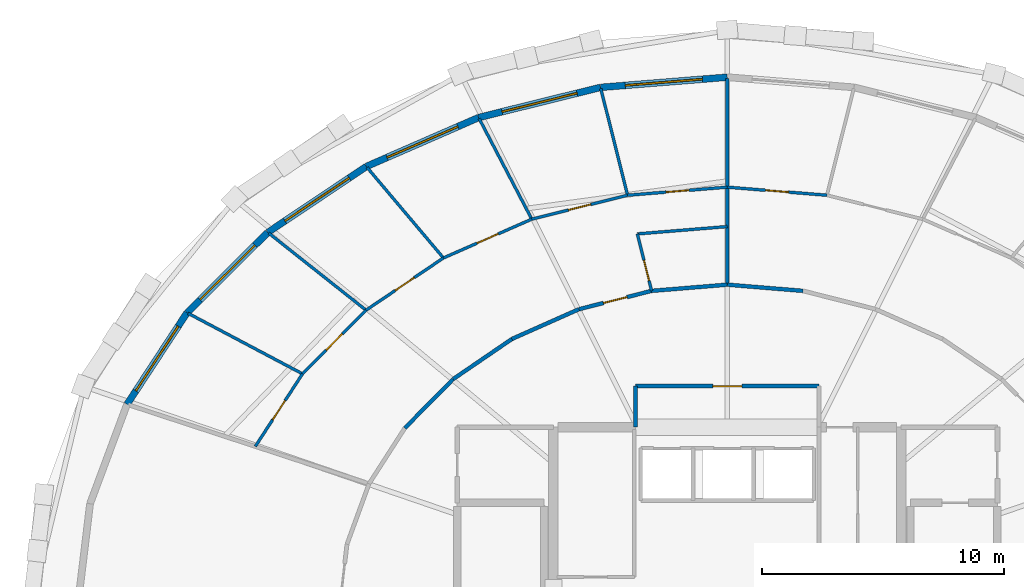
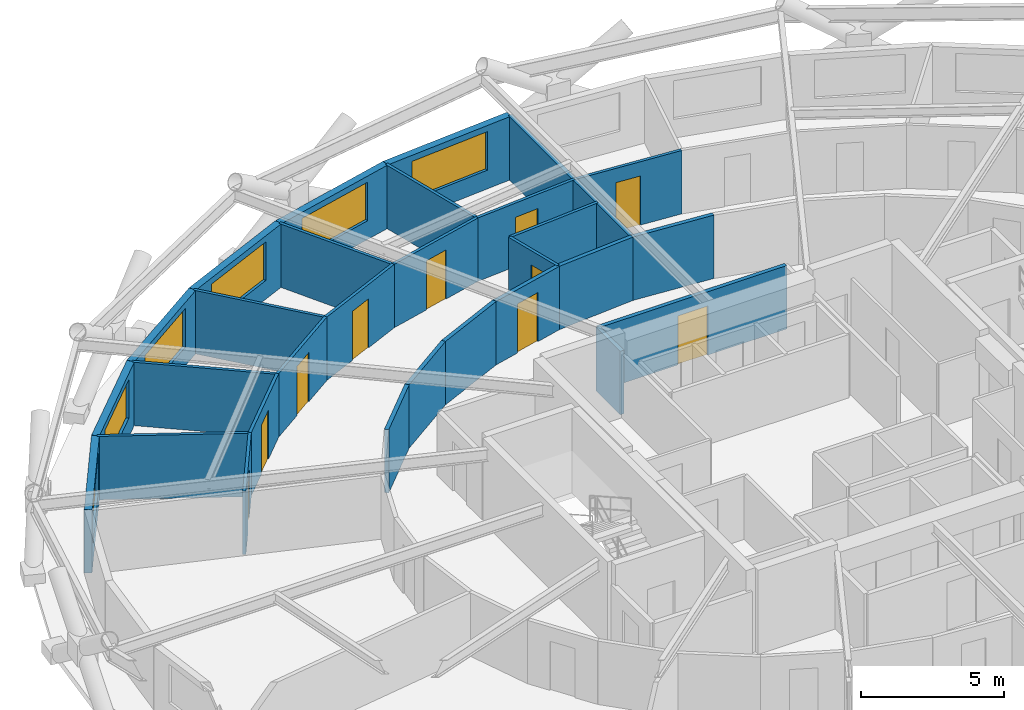
# One storey, part 17 of 21: 29 walls, 10 doors, 6 windows, 16 openings.
"""IFC4 building model written with IfcOpenShell, lengths in metres."""

from ifc_helpers import new_model, si_unit, direction, frame, frame_2d, origin, place, context, subcontext, project, spatial, rectangle, extrude, material, layer, layer_set, type_object, element, fill, save


model = new_model("IFC4")

# Units and contexts
model_context = context("Model", 3, precision=1e-05, world=origin(), true_north=direction((0.0, 1.0)))
body_context = subcontext(model_context, "Body", "Model", "MODEL_VIEW")
ifc_project = project(units=[si_unit("LENGTHUNIT", "METRE"), si_unit("AREAUNIT", "SQUARE_METRE"), si_unit("VOLUMEUNIT", "CUBIC_METRE"), si_unit("PLANEANGLEUNIT", "RADIAN"), si_unit("MASSUNIT", "GRAM", prefix="KILO")], contexts=[model_context])

# Site, building, storey
site_placement = place(None, origin())
site = spatial("IfcSite", under=ifc_project, at=site_placement, CompositionType="ELEMENT")
building_placement = place(site_placement, origin())
building = spatial("IfcBuilding", under=site, at=building_placement, Name="Veldorina Hangang Commons", CompositionType="ELEMENT")
storey_placement = place(building_placement, frame((0.0, 0.0, 98.800048828125)))
storey = spatial("IfcBuildingStorey", under=building, at=storey_placement, Name="L25", CompositionType="ELEMENT", Elevation=98.800048828125)

# Wall, opening, window
ifc_material_1 = material(Name="Stone Roman Travertine", Category="masonry")
ifc_layer_1 = layer(ifc_material_1, 0.280029296875)
ifc_layer_set_1 = layer_set([ifc_layer_1], Name="Stone Roman Travertine")
wall_type_1 = type_object("IfcWallType", Name="EW-TRAV-280", PredefinedType="STANDARD", material=ifc_layer_set_1)
wall_1_placement = place(storey_placement, frame((32.0, 45.9384765625, 0.0), z_axis=(0.0, 0.0, 1.0), x_axis=(-0.996790751388, -0.080051220775, 0.0)))
wall_1 = element("IfcWall", 1, at=wall_1_placement, inside=storey, type_object=wall_type_1, Name="L25 travertine facade wall 08", PredefinedType="STANDARD", context=body_context, shape_type="SweptSolid", body=[
    extrude(rectangle(XDim=5.263916015625, YDim=0.280029296875, at=frame_2d((2.6318359375, 0.0))), origin(), (0.0, 0.0, 1.0), 2.7099609375),
])
opening_1_placement = place(wall_1_placement, frame((1.031982421875, 0.0, 0.800048828125)))
opening_1 = element("IfcOpeningElement", 2, at=opening_1_placement, cuts=wall_1, Name="Opening W-01", PredefinedType="OPENING", context=body_context, shape_type="SweptSolid", body=[
    extrude(rectangle(XDim=3.199951171875, YDim=1.64990234375, at=frame_2d((1.60009765625, 0.824951171875))), frame((0.0, 0.14990234375, 0.0), z_axis=(0.0, -1.0, 0.0), x_axis=(1.0, 0.0, 0.0)), (0.0, 0.0, 1.0), 0.300048828125),
])
ifc_material_2 = material(Name="Glass Low-E Triple IGU", Category="glass")
window_type = type_object("IfcWindowType", Name="WIN-TWR-3200", PartitioningType="SINGLE_PANEL", PredefinedType="WINDOW", material=ifc_material_2)
window_1_placement = place(opening_1_placement, origin())
window_1 = element("IfcWindow", 3, at=window_1_placement, inside=storey, type_object=window_type, Name="L25 facade window 08", OverallHeight=1.64990234375, OverallWidth=3.199951171875, PartitioningType="SINGLE_PANEL", PredefinedType="WINDOW", context=body_context, shape_type="SweptSolid", body=[
    extrude(rectangle(XDim=3.199951171875, YDim=1.64990234375, at=frame_2d((1.60009765625, 0.824951171875))), frame((0.0, 0.030029296875, 0.0), z_axis=(0.0, -1.0, 0.0), x_axis=(1.0, 0.0, 0.0)), (0.0, 0.0, 1.0), 0.06005859375),
])
fill(opening_1, window_1)

wall_2_placement = place(storey_placement, frame((26.7529296875, 45.51708984375, 0.0), z_axis=(0.0, 0.0, 1.0), x_axis=(-0.970717253555, -0.240224923043, 0.0)))
wall_2 = element("IfcWall", 4, at=wall_2_placement, inside=storey, type_object=wall_type_1, Name="L25 travertine facade wall 09", PredefinedType="STANDARD", context=body_context, shape_type="SweptSolid", body=[
    extrude(rectangle(XDim=5.197265625, YDim=0.280029296875, at=frame_2d((2.5986328125, 0.0))), origin(), (0.0, 0.0, 1.0), 2.7099609375),
])
opening_2_placement = place(wall_2_placement, frame((0.998779296875, 0.0, 0.800048828125)))
opening_2 = element("IfcOpeningElement", 5, at=opening_2_placement, cuts=wall_2, Name="Opening W-01", PredefinedType="OPENING", context=body_context, shape_type="SweptSolid", body=[
    extrude(rectangle(XDim=3.199951171875, YDim=1.64990234375, at=frame_2d((1.60009765625, 0.824951171875))), frame((0.0, 0.14990234375, 0.0), z_axis=(0.0, -1.0, 0.0), x_axis=(1.0, 0.0, 0.0)), (0.0, 0.0, 1.0), 0.300048828125),
])
window_2_placement = place(opening_2_placement, origin())
window_2 = element("IfcWindow", 6, at=window_2_placement, inside=storey, type_object=window_type, Name="L25 facade window 09", OverallHeight=1.64990234375, OverallWidth=3.199951171875, PartitioningType="SINGLE_PANEL", PredefinedType="WINDOW", context=body_context, shape_type="SweptSolid", body=[
    extrude(rectangle(XDim=3.199951171875, YDim=1.64990234375, at=frame_2d((1.60009765625, 0.824951171875))), frame((0.0, 0.030029296875, 0.0), z_axis=(0.0, -1.0, 0.0), x_axis=(1.0, 0.0, 0.0)), (0.0, 0.0, 1.0), 0.06005859375),
])
fill(opening_2, window_2)

wall_3_placement = place(storey_placement, frame((21.707763671875, 44.2685546875, 0.0), z_axis=(0.0, 0.0, 1.0), x_axis=(-0.9166625106, -0.399662159405, 0.0)))
wall_3 = element("IfcWall", 7, at=wall_3_placement, inside=storey, type_object=wall_type_1, Name="L25 travertine facade wall 10", PredefinedType="STANDARD", context=body_context, shape_type="SweptSolid", body=[
    extrude(rectangle(XDim=5.07275390625, YDim=0.280029296875, at=frame_2d((2.536376953125, 0.0))), origin(), (0.0, 0.0, 1.0), 2.7099609375),
])
opening_3_placement = place(wall_3_placement, frame((0.936279296875, 0.0, 0.800048828125)))
opening_3 = element("IfcOpeningElement", 8, at=opening_3_placement, cuts=wall_3, Name="Opening W-01", PredefinedType="OPENING", context=body_context, shape_type="SweptSolid", body=[
    extrude(rectangle(XDim=3.199951171875, YDim=1.64990234375, at=frame_2d((1.60009765625, 0.824951171875))), frame((0.0, 0.14990234375, 0.0), z_axis=(0.0, -1.0, 0.0), x_axis=(1.0, 0.0, 0.0)), (0.0, 0.0, 1.0), 0.300048828125),
])
window_3_placement = place(opening_3_placement, origin())
window_3 = element("IfcWindow", 9, at=window_3_placement, inside=storey, type_object=window_type, Name="L25 facade window 10", OverallHeight=1.64990234375, OverallWidth=3.199951171875, PartitioningType="SINGLE_PANEL", PredefinedType="WINDOW", context=body_context, shape_type="SweptSolid", body=[
    extrude(rectangle(XDim=3.199951171875, YDim=1.64990234375, at=frame_2d((1.60009765625, 0.824951171875))), frame((0.0, 0.030029296875, 0.0), z_axis=(0.0, -1.0, 0.0), x_axis=(1.0, 0.0, 0.0)), (0.0, 0.0, 1.0), 0.06005859375),
])
fill(opening_3, window_3)

wall_4_placement = place(storey_placement, frame((17.057861328125, 42.2412109375, 0.0), z_axis=(0.0, 0.0, 1.0), x_axis=(-0.83098422739, -0.556295976822, 0.0)))
wall_4 = element("IfcWall", 10, at=wall_4_placement, inside=storey, type_object=wall_type_1, Name="L25 travertine facade wall 11", PredefinedType="STANDARD", context=body_context, shape_type="SweptSolid", body=[
    extrude(rectangle(XDim=4.904296875, YDim=0.280029296875, at=frame_2d((2.4521484375, 0.0))), origin(), (0.0, 0.0, 1.0), 2.7099609375),
])
opening_4_placement = place(wall_4_placement, frame((0.852294921875, 0.0, 0.800048828125)))
opening_4 = element("IfcOpeningElement", 11, at=opening_4_placement, cuts=wall_4, Name="Opening W-01", PredefinedType="OPENING", context=body_context, shape_type="SweptSolid", body=[
    extrude(rectangle(XDim=3.199951171875, YDim=1.64990234375, at=frame_2d((1.60009765625, 0.824951171875))), frame((0.0, 0.14990234375, 0.0), z_axis=(0.0, -1.0, 0.0), x_axis=(1.0, 0.0, 0.0)), (0.0, 0.0, 1.0), 0.300048828125),
])
window_4_placement = place(opening_4_placement, origin())
window_4 = element("IfcWindow", 12, at=window_4_placement, inside=storey, type_object=window_type, Name="L25 facade window 11", OverallHeight=1.64990234375, OverallWidth=3.199951171875, PartitioningType="SINGLE_PANEL", PredefinedType="WINDOW", context=body_context, shape_type="SweptSolid", body=[
    extrude(rectangle(XDim=3.199951171875, YDim=1.64990234375, at=frame_2d((1.60009765625, 0.824951171875))), frame((0.0, 0.030029296875, 0.0), z_axis=(0.0, -1.0, 0.0), x_axis=(1.0, 0.0, 0.0)), (0.0, 0.0, 1.0), 0.06005859375),
])
fill(opening_4, window_4)

wall_5_placement = place(storey_placement, frame((12.982421875, 39.512939453125, 0.0), z_axis=(0.0, 0.0, 1.0), x_axis=(-0.709251981277, -0.704955053216, 0.0)))
wall_5 = element("IfcWall", 13, at=wall_5_placement, inside=storey, type_object=wall_type_1, Name="L25 travertine facade wall 12", PredefinedType="STANDARD", context=body_context, shape_type="SweptSolid", body=[
    extrude(rectangle(XDim=4.7158203125, YDim=0.280029296875, at=frame_2d((2.35791015625, 0.0))), origin(), (0.0, 0.0, 1.0), 2.7099609375),
])
opening_5_placement = place(wall_5_placement, frame((0.758056640625, 0.0, 0.800048828125)))
opening_5 = element("IfcOpeningElement", 14, at=opening_5_placement, cuts=wall_5, Name="Opening W-01", PredefinedType="OPENING", context=body_context, shape_type="SweptSolid", body=[
    extrude(rectangle(XDim=3.199951171875, YDim=1.64990234375, at=frame_2d((1.60009765625, 0.824951171875))), frame((0.0, 0.14990234375, 0.0), z_axis=(0.0, -1.0, 0.0), x_axis=(1.0, 0.0, 0.0)), (0.0, 0.0, 1.0), 0.300048828125),
])
window_5_placement = place(opening_5_placement, origin())
window_5 = element("IfcWindow", 15, at=window_5_placement, inside=storey, type_object=window_type, Name="L25 facade window 12", OverallHeight=1.64990234375, OverallWidth=3.199951171875, PartitioningType="SINGLE_PANEL", PredefinedType="WINDOW", context=body_context, shape_type="SweptSolid", body=[
    extrude(rectangle(XDim=3.199951171875, YDim=1.64990234375, at=frame_2d((1.60009765625, 0.824951171875))), frame((0.0, 0.030029296875, 0.0), z_axis=(0.0, -1.0, 0.0), x_axis=(1.0, 0.0, 0.0)), (0.0, 0.0, 1.0), 0.06005859375),
])
fill(opening_5, window_5)

wall_6_placement = place(storey_placement, frame((9.6376953125, 36.1884765625, 0.0), z_axis=(0.0, 0.0, 1.0), x_axis=(-0.548073017765, -0.836430491552, 0.0)))
wall_6 = element("IfcWall", 16, at=wall_6_placement, inside=storey, type_object=wall_type_1, Name="L25 travertine facade wall 13", PredefinedType="STANDARD", context=body_context, shape_type="SweptSolid", body=[
    extrude(rectangle(XDim=4.53466796875, YDim=0.280029296875, at=frame_2d((2.267333984375, 0.0))), origin(), (0.0, 0.0, 1.0), 2.7099609375),
])
opening_6_placement = place(wall_6_placement, frame((0.667236328125, 0.0, 0.800048828125)))
opening_6 = element("IfcOpeningElement", 17, at=opening_6_placement, cuts=wall_6, Name="Opening W-01", PredefinedType="OPENING", context=body_context, shape_type="SweptSolid", body=[
    extrude(rectangle(XDim=3.199951171875, YDim=1.64990234375, at=frame_2d((1.60009765625, 0.824951171875))), frame((0.0, 0.14990234375, 0.0), z_axis=(0.0, -1.0, 0.0), x_axis=(1.0, 0.0, 0.0)), (0.0, 0.0, 1.0), 0.300048828125),
])
window_6_placement = place(opening_6_placement, origin())
window_6 = element("IfcWindow", 18, at=window_6_placement, inside=storey, type_object=window_type, Name="L25 facade window 13", OverallHeight=1.64990234375, OverallWidth=3.199951171875, PartitioningType="SINGLE_PANEL", PredefinedType="WINDOW", context=body_context, shape_type="SweptSolid", body=[
    extrude(rectangle(XDim=3.199951171875, YDim=1.64990234375, at=frame_2d((1.60009765625, 0.824951171875))), frame((0.0, 0.030029296875, 0.0), z_axis=(0.0, -1.0, 0.0), x_axis=(1.0, 0.0, 0.0)), (0.0, 0.0, 1.0), 0.06005859375),
])
fill(opening_6, window_6)

# Wall
ifc_material_3 = material(Name="Gypsum Fire-Rated Twin Stud Wall", Category="gypsum")
ifc_layer_2 = layer(ifc_material_3, 0.159912109375)
ifc_layer_set_2 = layer_set([ifc_layer_2], Name="Gypsum Fire-Rated Twin Stud Wall")
wall_type_2 = type_object("IfcWallType", Name="WL-FIRE-160", PredefinedType="SOLIDWALL", material=ifc_layer_set_2)
wall_7_placement = place(storey_placement, frame((28.199951171875, 31.449951171875, 0.0), z_axis=(0.0, 0.0, 1.0), x_axis=(0.0, 1.0, 0.0)))
element("IfcWall", 19, at=wall_7_placement, inside=storey, type_object=wall_type_2, Name="L25 North lobby west wall 032", PredefinedType="SOLIDWALL", context=body_context, shape_type="SweptSolid", body=[
    extrude(rectangle(XDim=1.699951171875, YDim=0.159912109375, at=frame_2d((0.85009765625, 0.0))), origin(), (0.0, 0.0, 1.0), 2.7099609375),
])

# Wall, opening, door
wall_8_placement = place(storey_placement, frame((28.199951171875, 33.14990234375, 0.0), z_axis=(0.0, 0.0, 1.0), x_axis=(1.0, 0.0, 0.0)))
wall_8 = element("IfcWall", 20, at=wall_8_placement, inside=storey, type_object=wall_type_2, Name="L25 North lobby north wall 034", PredefinedType="SOLIDWALL", context=body_context, shape_type="SweptSolid", body=[
    extrude(rectangle(XDim=7.60009765625, YDim=0.159912109375, at=frame_2d((3.800048828125, 0.0))), origin(), (0.0, 0.0, 1.0), 2.7099609375),
])
opening_7_placement = place(wall_8_placement, frame((3.199951171875, 0.0, 0.0)))
opening_7 = element("IfcOpeningElement", 21, at=opening_7_placement, cuts=wall_8, Name="Opening D-09", PredefinedType="OPENING", context=body_context, shape_type="SweptSolid", body=[
    extrude(rectangle(XDim=1.199951171875, YDim=2.10009765625, at=frame_2d((0.60009765625, 1.050048828125))), frame((0.0, 0.08984375, 0.0), z_axis=(0.0, -1.0, 0.0), x_axis=(1.0, 0.0, 0.0)), (0.0, 0.0, 1.0), 0.179931640625),
])
ifc_material_4 = material(Name="Steel Fire-Rated Corridor Door", Category="steel")
door_type_1 = type_object("IfcDoorType", Name="DR-FIRE-1200", OperationType="SINGLE_SWING_LEFT", PredefinedType="DOOR", material=ifc_material_4)
door_1_placement = place(opening_7_placement, origin())
door_1 = element("IfcDoor", 22, at=door_1_placement, inside=storey, type_object=door_type_1, Name="L25 North lift lobby corridor door 012", OperationType="SINGLE_SWING_RIGHT", OverallHeight=2.10009765625, OverallWidth=1.199951171875, PredefinedType="DOOR", context=body_context, shape_type="SweptSolid", body=[
    extrude(rectangle(XDim=1.199951171875, YDim=2.10009765625, at=frame_2d((0.60009765625, 1.050048828125))), frame((0.0, 0.02490234375, 0.0), z_axis=(0.0, -1.0, 0.0), x_axis=(1.0, 0.0, 0.0)), (0.0, 0.0, 1.0), 0.050048828125),
])
fill(opening_7, door_1)

# Walls
for number, where, z_axis, x_axis, name in (
    (23, (35.131103515625, 37.093505859375, 0.0), (0.0, 0.0, 1.0), (-0.996658973252, 0.081675522876, 0.0), "L25 Corridor outer wall 07 052"),
    (24, (32.0, 37.35009765625, 0.0), (0.0, 0.0, 1.0), (-0.996658973252, -0.081675522876, 0.0), "L25 Corridor outer wall 08 053"),
):
    element("IfcWall", number, at=place(storey_placement, frame(where, z_axis=z_axis, x_axis=x_axis)), inside=storey, type_object=wall_type_2, Name=name, PredefinedType="SOLIDWALL", context=body_context, shape_type="SweptSolid", body=[
        extrude(rectangle(XDim=3.1416015625, YDim=0.159912109375, at=frame_2d((1.57080078125, 0.0))), origin(), (0.0, 0.0, 1.0), 2.7099609375),
    ])

# Wall, opening, door
wall_9_placement = place(storey_placement, frame((28.868896484375, 37.093505859375, 0.0), z_axis=(0.0, 0.0, 1.0), x_axis=(-0.969608333194, -0.244662380029, 0.0)))
wall_9 = element("IfcWall", 25, at=wall_9_placement, inside=storey, type_object=wall_type_2, Name="L25 Corridor outer wall 09 054", PredefinedType="SOLIDWALL", context=body_context, shape_type="SweptSolid", body=[
    extrude(rectangle(XDim=3.10546875, YDim=0.159912109375, at=frame_2d((1.552734375, 0.0))), origin(), (0.0, 0.0, 1.0), 2.7099609375),
])
opening_8_placement = place(wall_9_placement, frame((1.052734375, 0.0, 0.0)))
opening_8 = element("IfcOpeningElement", 26, at=opening_8_placement, cuts=wall_9, Name="Opening D-06", PredefinedType="OPENING", context=body_context, shape_type="SweptSolid", body=[
    extrude(rectangle(XDim=1.0, YDim=2.10009765625, at=frame_2d((0.5, 1.050048828125))), frame((0.0, 0.08984375, 0.0), z_axis=(0.0, -1.0, 0.0), x_axis=(1.0, 0.0, 0.0)), (0.0, 0.0, 1.0), 0.179931640625),
])
ifc_material_5 = material(Name="Timber Fire-Rated Entrance Core", Category="wood")
door_type_2 = type_object("IfcDoorType", Name="DR-UNIT-1000", OperationType="SINGLE_SWING_LEFT", PredefinedType="DOOR", material=ifc_material_5)
door_2_placement = place(opening_8_placement, origin())
door_2 = element("IfcDoor", 27, at=door_2_placement, inside=storey, type_object=door_type_2, Name="L25 Cluster 4 entrance door 036", OperationType="SINGLE_SWING_RIGHT", OverallHeight=2.10009765625, OverallWidth=1.0, PredefinedType="DOOR", context=body_context, shape_type="SweptSolid", body=[
    extrude(rectangle(XDim=1.0, YDim=2.10009765625, at=frame_2d((0.5, 1.050048828125))), frame((0.0, 0.02490234375, 0.0), z_axis=(0.0, -1.0, 0.0), x_axis=(1.0, 0.0, 0.0)), (0.0, 0.0, 1.0), 0.050048828125),
])
fill(opening_8, door_2)

# Walls
wall_10_placement = place(storey_placement, frame((25.85791015625, 36.333740234375, 0.0), z_axis=(0.0, 0.0, 1.0), x_axis=(-0.913768445178, -0.406235434936, 0.0)))
element("IfcWall", 28, at=wall_10_placement, inside=storey, type_object=wall_type_2, Name="L25 Corridor outer wall 10 055", PredefinedType="SOLIDWALL", context=body_context, shape_type="SweptSolid", body=[
    extrude(rectangle(XDim=3.036865234375, YDim=0.159912109375, at=frame_2d((1.5185546875, 0.0))), origin(), (0.0, 0.0, 1.0), 2.7099609375),
])
wall_11_placement = place(storey_placement, frame((23.0830078125, 35.10009765625, 0.0), z_axis=(0.0, 0.0, 1.0), x_axis=(-0.825929039072, -0.563774088104, 0.0)))
element("IfcWall", 29, at=wall_11_placement, inside=storey, type_object=wall_type_2, Name="L25 Corridor outer wall 11 056", PredefinedType="SOLIDWALL", context=body_context, shape_type="SweptSolid", body=[
    extrude(rectangle(XDim=2.94482421875, YDim=0.159912109375, at=frame_2d((1.472412109375, 0.0))), origin(), (0.0, 0.0, 1.0), 2.7099609375),
])
wall_12_placement = place(storey_placement, frame((20.65087890625, 33.43994140625, 0.0), z_axis=(0.0, 0.0, 1.0), x_axis=(-0.702366174226, -0.711815816981, 0.0)))
element("IfcWall", 30, at=wall_12_placement, inside=storey, type_object=wall_type_2, Name="L25 Corridor outer wall 12 057", PredefinedType="SOLIDWALL", context=body_context, shape_type="SweptSolid", body=[
    extrude(rectangle(XDim=2.842041015625, YDim=0.159912109375, at=frame_2d((1.4208984375, 0.0))), origin(), (0.0, 0.0, 1.0), 2.7099609375),
])
wall_13_placement = place(storey_placement, frame((32.0, 37.35009765625, 0.0), z_axis=(0.0, 0.0, 1.0), x_axis=(0.0, 1.0, 0.0)))
element("IfcWall", 31, at=wall_13_placement, inside=storey, type_object=wall_type_2, Name="L25 Unit party wall 08 110", PredefinedType="SOLIDWALL", context=body_context, shape_type="SweptSolid", body=[
    extrude(rectangle(XDim=8.538330078125, YDim=0.159912109375, at=frame_2d((4.26904296875, 0.0))), origin(), (0.0, 0.0, 1.0), 2.7099609375),
])

# Wall, opening, door
ifc_material_6 = material(Name="Gypsum Acoustic Stud Partition", Category="gypsum")
ifc_layer_3 = layer(ifc_material_6, 0.1201171875)
ifc_layer_set_3 = layer_set([ifc_layer_3], Name="Gypsum Acoustic Stud Partition")
wall_type_3 = type_object("IfcWallType", Name="WL-PART-120", PredefinedType="PARTITIONING", material=ifc_layer_set_3)
wall_14_placement = place(storey_placement, frame((36.12548828125, 41.052490234375, 0.0), z_axis=(0.0, 0.0, 1.0), x_axis=(-0.996734311019, 0.080750933352, 0.0)))
wall_14 = element("IfcWall", 32, at=wall_14_placement, inside=storey, type_object=wall_type_3, Name="L25 Cluster 3 bed 6 front wall 108", PredefinedType="PARTITIONING", context=body_context, shape_type="SweptSolid", body=[
    extrude(rectangle(XDim=4.138916015625, YDim=0.1201171875, at=frame_2d((2.0693359375, 0.0))), origin(), (0.0, 0.0, 1.0), 2.7099609375),
])
opening_9_placement = place(wall_14_placement, frame((1.594482421875, 0.0, 0.0)))
opening_9 = element("IfcOpeningElement", 33, at=opening_9_placement, cuts=wall_14, Name="Opening D-02", PredefinedType="OPENING", context=body_context, shape_type="SweptSolid", body=[
    extrude(rectangle(XDim=0.949951171875, YDim=2.10009765625, at=frame_2d((0.47509765625, 1.050048828125))), frame((0.0, 0.070068359375, 0.0), z_axis=(0.0, -1.0, 0.0), x_axis=(1.0, 0.0, 0.0)), (0.0, 0.0, 1.0), 0.14013671875),
])
ifc_material_7 = material(Name="Timber Solid Core Acoustic", Category="wood")
door_type_3 = type_object("IfcDoorType", Name="DR-INT-950", OperationType="SINGLE_SWING_LEFT", PredefinedType="DOOR", material=ifc_material_7)
door_3_placement = place(opening_9_placement, origin())
door_3 = element("IfcDoor", 34, at=door_3_placement, inside=storey, type_object=door_type_3, Name="L25 Cluster 3 bed 6 door 034", OperationType="SINGLE_SWING_RIGHT", OverallHeight=2.10009765625, OverallWidth=0.949951171875, PredefinedType="DOOR", context=body_context, shape_type="SweptSolid", body=[
    extrude(rectangle(XDim=0.949951171875, YDim=2.10009765625, at=frame_2d((0.47509765625, 1.050048828125))), frame((0.0, 0.02490234375, 0.0), z_axis=(0.0, -1.0, 0.0), x_axis=(1.0, 0.0, 0.0)), (0.0, 0.0, 1.0), 0.050048828125),
])
fill(opening_9, door_3)

# Wall
wall_15_placement = place(storey_placement, frame((32.0, 39.7548828125, 0.0), z_axis=(0.0, 0.0, 1.0), x_axis=(-0.996711382833, -0.081033445759, 0.0)))
element("IfcWall", 35, at=wall_15_placement, inside=storey, type_object=wall_type_3, Name="L25 Cluster 4 bath front wall 111", PredefinedType="PARTITIONING", context=body_context, shape_type="SweptSolid", body=[
    extrude(rectangle(XDim=3.73583984375, YDim=0.1201171875, at=frame_2d((1.867919921875, 0.0))), origin(), (0.0, 0.0, 1.0), 2.7099609375),
])

# Wall, opening, door
wall_16_placement = place(storey_placement, frame((28.868896484375, 37.093505859375, 0.0), z_axis=(0.0, 0.0, 1.0), x_axis=(-0.243645657548, 0.969864317087, 0.0)))
wall_16 = element("IfcWall", 36, at=wall_16_placement, inside=storey, type_object=wall_type_3, Name="L25 Cluster 4 bath side wall 112", PredefinedType="PARTITIONING", context=body_context, shape_type="SweptSolid", body=[
    extrude(rectangle(XDim=2.431884765625, YDim=0.1201171875, at=frame_2d((1.2158203125, 0.0))), origin(), (0.0, 0.0, 1.0), 2.7099609375),
])
opening_10_placement = place(wall_16_placement, frame((0.43994140625, 0.0, 0.0)))
opening_10 = element("IfcOpeningElement", 37, at=opening_10_placement, cuts=wall_16, Name="Opening D-01", PredefinedType="OPENING", context=body_context, shape_type="SweptSolid", body=[
    extrude(rectangle(XDim=0.860107421875, YDim=2.10009765625, at=frame_2d((0.43017578125, 1.050048828125))), frame((0.0, 0.070068359375, 0.0), z_axis=(0.0, -1.0, 0.0), x_axis=(1.0, 0.0, 0.0)), (0.0, 0.0, 1.0), 0.14013671875),
])
ifc_material_8 = material(Name="Timber Moisture-Resistant Core", Category="wood")
door_type_4 = type_object("IfcDoorType", Name="DR-WET-860", OperationType="SINGLE_SWING_LEFT", PredefinedType="DOOR", material=ifc_material_8)
door_4_placement = place(opening_10_placement, origin())
door_4 = element("IfcDoor", 38, at=door_4_placement, inside=storey, type_object=door_type_4, Name="L25 Cluster 4 shared bathroom door 035", OperationType="SINGLE_SWING_LEFT", OverallHeight=2.10009765625, OverallWidth=0.860107421875, PredefinedType="DOOR", context=body_context, shape_type="SweptSolid", body=[
    extrude(rectangle(XDim=0.860107421875, YDim=2.10009765625, at=frame_2d((0.43017578125, 1.050048828125))), frame((0.0, 0.02490234375, 0.0), z_axis=(0.0, -1.0, 0.0), x_axis=(1.0, 0.0, 0.0)), (0.0, 0.0, 1.0), 0.050048828125),
])
fill(opening_10, door_4)

wall_17_placement = place(storey_placement, frame((32.0, 41.38671875, 0.0), z_axis=(0.0, 0.0, 1.0), x_axis=(-0.996734311019, -0.080750933352, 0.0)))
wall_17 = element("IfcWall", 39, at=wall_17_placement, inside=storey, type_object=wall_type_3, Name="L25 Cluster 4 bed 1 front wall 113", PredefinedType="PARTITIONING", context=body_context, shape_type="SweptSolid", body=[
    extrude(rectangle(XDim=4.138916015625, YDim=0.1201171875, at=frame_2d((2.0693359375, 0.0))), origin(), (0.0, 0.0, 1.0), 2.7099609375),
])
opening_11_placement = place(wall_17_placement, frame((1.594482421875, 0.0, 0.0)))
opening_11 = element("IfcOpeningElement", 40, at=opening_11_placement, cuts=wall_17, Name="Opening D-02", PredefinedType="OPENING", context=body_context, shape_type="SweptSolid", body=[
    extrude(rectangle(XDim=0.949951171875, YDim=2.10009765625, at=frame_2d((0.47509765625, 1.050048828125))), frame((0.0, 0.070068359375, 0.0), z_axis=(0.0, -1.0, 0.0), x_axis=(1.0, 0.0, 0.0)), (0.0, 0.0, 1.0), 0.14013671875),
])
door_5_placement = place(opening_11_placement, origin())
door_5 = element("IfcDoor", 41, at=door_5_placement, inside=storey, type_object=door_type_3, Name="L25 Cluster 4 bed 1 door 037", OperationType="SINGLE_SWING_LEFT", OverallHeight=2.10009765625, OverallWidth=0.949951171875, PredefinedType="DOOR", context=body_context, shape_type="SweptSolid", body=[
    extrude(rectangle(XDim=0.949951171875, YDim=2.10009765625, at=frame_2d((0.47509765625, 1.050048828125))), frame((0.0, 0.02490234375, 0.0), z_axis=(0.0, -1.0, 0.0), x_axis=(1.0, 0.0, 0.0)), (0.0, 0.0, 1.0), 0.050048828125),
])
fill(opening_11, door_5)

wall_18_placement = place(storey_placement, frame((27.87451171875, 41.052490234375, 0.0), z_axis=(0.0, 0.0, 1.0), x_axis=(-0.970275821055, -0.242001717092, 0.0)))
wall_18 = element("IfcWall", 42, at=wall_18_placement, inside=storey, type_object=wall_type_3, Name="L25 Cluster 4 bed 2 front wall 114", PredefinedType="PARTITIONING", context=body_context, shape_type="SweptSolid", body=[
    extrude(rectangle(XDim=4.0888671875, YDim=0.1201171875, at=frame_2d((2.04443359375, 0.0))), origin(), (0.0, 0.0, 1.0), 2.7099609375),
])
opening_12_placement = place(wall_18_placement, frame((1.5693359375, 0.0, 0.0)))
opening_12 = element("IfcOpeningElement", 43, at=opening_12_placement, cuts=wall_18, Name="Opening D-02", PredefinedType="OPENING", context=body_context, shape_type="SweptSolid", body=[
    extrude(rectangle(XDim=0.949951171875, YDim=2.10009765625, at=frame_2d((0.47509765625, 1.050048828125))), frame((0.0, 0.070068359375, 0.0), z_axis=(0.0, -1.0, 0.0), x_axis=(1.0, 0.0, 0.0)), (0.0, 0.0, 1.0), 0.14013671875),
])
door_6_placement = place(opening_12_placement, origin())
door_6 = element("IfcDoor", 44, at=door_6_placement, inside=storey, type_object=door_type_3, Name="L25 Cluster 4 bed 2 door 038", OperationType="SINGLE_SWING_RIGHT", OverallHeight=2.10009765625, OverallWidth=0.949951171875, PredefinedType="DOOR", context=body_context, shape_type="SweptSolid", body=[
    extrude(rectangle(XDim=0.949951171875, YDim=2.10009765625, at=frame_2d((0.47509765625, 1.050048828125))), frame((0.0, 0.02490234375, 0.0), z_axis=(0.0, -1.0, 0.0), x_axis=(1.0, 0.0, 0.0)), (0.0, 0.0, 1.0), 0.050048828125),
])
fill(opening_12, door_6)

# Wall
wall_19_placement = place(storey_placement, frame((27.87451171875, 41.052490234375, 0.0), z_axis=(0.0, 0.0, 1.0), x_axis=(-0.243645699313, 0.969864306595, 0.0)))
element("IfcWall", 45, at=wall_19_placement, inside=storey, type_object=wall_type_3, Name="L25 Cluster 4 bed divider 1 115", PredefinedType="PARTITIONING", context=body_context, shape_type="SweptSolid", body=[
    extrude(rectangle(XDim=4.55322265625, YDim=0.1201171875, at=frame_2d((2.276611328125, 0.0))), origin(), (0.0, 0.0, 1.0), 2.7099609375),
])

# Wall, opening, door
wall_20_placement = place(storey_placement, frame((23.9072265625, 40.06298828125, 0.0), z_axis=(0.0, 0.0, 1.0), x_axis=(-0.915495231318, -0.402328822524, 0.0)))
wall_20 = element("IfcWall", 46, at=wall_20_placement, inside=storey, type_object=wall_type_3, Name="L25 Cluster 4 bed 3 front wall 116", PredefinedType="PARTITIONING", context=body_context, shape_type="SweptSolid", body=[
    extrude(rectangle(XDim=3.993408203125, YDim=0.1201171875, at=frame_2d((1.99658203125, 0.0))), origin(), (0.0, 0.0, 1.0), 2.7099609375),
])
opening_13_placement = place(wall_20_placement, frame((1.521728515625, 0.0, 0.0)))
opening_13 = element("IfcOpeningElement", 47, at=opening_13_placement, cuts=wall_20, Name="Opening D-02", PredefinedType="OPENING", context=body_context, shape_type="SweptSolid", body=[
    extrude(rectangle(XDim=0.949951171875, YDim=2.10009765625, at=frame_2d((0.47509765625, 1.050048828125))), frame((0.0, 0.070068359375, 0.0), z_axis=(0.0, -1.0, 0.0), x_axis=(1.0, 0.0, 0.0)), (0.0, 0.0, 1.0), 0.14013671875),
])
door_7_placement = place(opening_13_placement, origin())
door_7 = element("IfcDoor", 48, at=door_7_placement, inside=storey, type_object=door_type_3, Name="L25 Cluster 4 bed 3 door 039", OperationType="SINGLE_SWING_LEFT", OverallHeight=2.10009765625, OverallWidth=0.949951171875, PredefinedType="DOOR", context=body_context, shape_type="SweptSolid", body=[
    extrude(rectangle(XDim=0.949951171875, YDim=2.10009765625, at=frame_2d((0.47509765625, 1.050048828125))), frame((0.0, 0.02490234375, 0.0), z_axis=(0.0, -1.0, 0.0), x_axis=(1.0, 0.0, 0.0)), (0.0, 0.0, 1.0), 0.050048828125),
])
fill(opening_13, door_7)

# Wall
wall_21_placement = place(storey_placement, frame((23.9072265625, 40.06298828125, 0.0), z_axis=(0.0, 0.0, 1.0), x_axis=(-0.463443515986, 0.886126462471, 0.0)))
element("IfcWall", 49, at=wall_21_placement, inside=storey, type_object=wall_type_3, Name="L25 Cluster 4 bed divider 2 117", PredefinedType="PARTITIONING", context=body_context, shape_type="SweptSolid", body=[
    extrude(rectangle(XDim=4.69580078125, YDim=0.1201171875, at=frame_2d((2.347900390625, 0.0))), origin(), (0.0, 0.0, 1.0), 2.7099609375),
])

# Wall, opening, door
wall_22_placement = place(storey_placement, frame((20.251220703125, 38.456298828125, 0.0), z_axis=(0.0, 0.0, 1.0), x_axis=(-0.828967263528, -0.559297126757, 0.0)))
wall_22 = element("IfcWall", 50, at=wall_22_placement, inside=storey, type_object=wall_type_3, Name="L25 Cluster 4 bed 4 front wall 118", PredefinedType="PARTITIONING", context=body_context, shape_type="SweptSolid", body=[
    extrude(rectangle(XDim=3.86572265625, YDim=0.1201171875, at=frame_2d((1.932861328125, 0.0))), origin(), (0.0, 0.0, 1.0), 2.7099609375),
])
opening_14_placement = place(wall_22_placement, frame((1.4580078125, 0.0, 0.0)))
opening_14 = element("IfcOpeningElement", 51, at=opening_14_placement, cuts=wall_22, Name="Opening D-02", PredefinedType="OPENING", context=body_context, shape_type="SweptSolid", body=[
    extrude(rectangle(XDim=0.949951171875, YDim=2.10009765625, at=frame_2d((0.47509765625, 1.050048828125))), frame((0.0, 0.070068359375, 0.0), z_axis=(0.0, -1.0, 0.0), x_axis=(1.0, 0.0, 0.0)), (0.0, 0.0, 1.0), 0.14013671875),
])
door_8_placement = place(opening_14_placement, origin())
door_8 = element("IfcDoor", 52, at=door_8_placement, inside=storey, type_object=door_type_3, Name="L25 Cluster 4 bed 4 door 040", OperationType="SINGLE_SWING_RIGHT", OverallHeight=2.10009765625, OverallWidth=0.949951171875, PredefinedType="DOOR", context=body_context, shape_type="SweptSolid", body=[
    extrude(rectangle(XDim=0.949951171875, YDim=2.10009765625, at=frame_2d((0.47509765625, 1.050048828125))), frame((0.0, 0.02490234375, 0.0), z_axis=(0.0, -1.0, 0.0), x_axis=(1.0, 0.0, 0.0)), (0.0, 0.0, 1.0), 0.050048828125),
])
fill(opening_14, door_8)

# Wall
wall_23_placement = place(storey_placement, frame((20.251220703125, 38.456298828125, 0.0), z_axis=(0.0, 0.0, 1.0), x_axis=(-0.644865484306, 0.764296086049, 0.0)))
element("IfcWall", 53, at=wall_23_placement, inside=storey, type_object=wall_type_3, Name="L25 Cluster 4 bed divider 3 119", PredefinedType="PARTITIONING", context=body_context, shape_type="SweptSolid", body=[
    extrude(rectangle(XDim=4.902099609375, YDim=0.1201171875, at=frame_2d((2.451171875, 0.0))), origin(), (0.0, 0.0, 1.0), 2.7099609375),
])

# Wall, opening, door
wall_24_placement = place(storey_placement, frame((17.046630859375, 36.294189453125, 0.0), z_axis=(0.0, 0.0, 1.0), x_axis=(-0.706450655804, -0.707762298314, 0.0)))
wall_24 = element("IfcWall", 54, at=wall_24_placement, inside=storey, type_object=wall_type_3, Name="L25 Cluster 4 bed 5 front wall 120", PredefinedType="PARTITIONING", context=body_context, shape_type="SweptSolid", body=[
    extrude(rectangle(XDim=3.72265625, YDim=0.1201171875, at=frame_2d((1.861328125, 0.0))), origin(), (0.0, 0.0, 1.0), 2.7099609375),
])
opening_15_placement = place(wall_24_placement, frame((1.38623046875, 0.0, 0.0)))
opening_15 = element("IfcOpeningElement", 55, at=opening_15_placement, cuts=wall_24, Name="Opening D-02", PredefinedType="OPENING", context=body_context, shape_type="SweptSolid", body=[
    extrude(rectangle(XDim=0.949951171875, YDim=2.10009765625, at=frame_2d((0.47509765625, 1.050048828125))), frame((0.0, 0.070068359375, 0.0), z_axis=(0.0, -1.0, 0.0), x_axis=(1.0, 0.0, 0.0)), (0.0, 0.0, 1.0), 0.14013671875),
])
door_9_placement = place(opening_15_placement, origin())
door_9 = element("IfcDoor", 56, at=door_9_placement, inside=storey, type_object=door_type_3, Name="L25 Cluster 4 bed 5 door 041", OperationType="SINGLE_SWING_LEFT", OverallHeight=2.10009765625, OverallWidth=0.949951171875, PredefinedType="DOOR", context=body_context, shape_type="SweptSolid", body=[
    extrude(rectangle(XDim=0.949951171875, YDim=2.10009765625, at=frame_2d((0.47509765625, 1.050048828125))), frame((0.0, 0.02490234375, 0.0), z_axis=(0.0, -1.0, 0.0), x_axis=(1.0, 0.0, 0.0)), (0.0, 0.0, 1.0), 0.050048828125),
])
fill(opening_15, door_9)

# Wall
wall_25_placement = place(storey_placement, frame((17.046630859375, 36.294189453125, 0.0), z_axis=(0.0, 0.0, 1.0), x_axis=(-0.783934932715, 0.620842992446, 0.0)))
element("IfcWall", 57, at=wall_25_placement, inside=storey, type_object=wall_type_3, Name="L25 Cluster 4 bed divider 4 121", PredefinedType="PARTITIONING", context=body_context, shape_type="SweptSolid", body=[
    extrude(rectangle(XDim=5.134521484375, YDim=0.1201171875, at=frame_2d((2.5673828125, 0.0))), origin(), (0.0, 0.0, 1.0), 2.7099609375),
])

# Wall, opening, door
wall_26_placement = place(storey_placement, frame((14.416748046875, 33.659423828125, 0.0), z_axis=(0.0, 0.0, 1.0), x_axis=(-0.545045794667, -0.838406274855, 0.0)))
wall_26 = element("IfcWall", 58, at=wall_26_placement, inside=storey, type_object=wall_type_3, Name="L25 Cluster 4 bed 6 front wall 122", PredefinedType="PARTITIONING", context=body_context, shape_type="SweptSolid", body=[
    extrude(rectangle(XDim=3.585205078125, YDim=0.1201171875, at=frame_2d((1.79248046875, 0.0))), origin(), (0.0, 0.0, 1.0), 2.7099609375),
])
opening_16_placement = place(wall_26_placement, frame((1.317626953125, 0.0, 0.0)))
opening_16 = element("IfcOpeningElement", 59, at=opening_16_placement, cuts=wall_26, Name="Opening D-02", PredefinedType="OPENING", context=body_context, shape_type="SweptSolid", body=[
    extrude(rectangle(XDim=0.949951171875, YDim=2.10009765625, at=frame_2d((0.47509765625, 1.050048828125))), frame((0.0, 0.070068359375, 0.0), z_axis=(0.0, -1.0, 0.0), x_axis=(1.0, 0.0, 0.0)), (0.0, 0.0, 1.0), 0.14013671875),
])
door_10_placement = place(opening_16_placement, origin())
door_10 = element("IfcDoor", 60, at=door_10_placement, inside=storey, type_object=door_type_3, Name="L25 Cluster 4 bed 6 door 042", OperationType="SINGLE_SWING_RIGHT", OverallHeight=2.10009765625, OverallWidth=0.949951171875, PredefinedType="DOOR", context=body_context, shape_type="SweptSolid", body=[
    extrude(rectangle(XDim=0.949951171875, YDim=2.10009765625, at=frame_2d((0.47509765625, 1.050048828125))), frame((0.0, 0.02490234375, 0.0), z_axis=(0.0, -1.0, 0.0), x_axis=(1.0, 0.0, 0.0)), (0.0, 0.0, 1.0), 0.050048828125),
])
fill(opening_16, door_10)

# Wall
wall_27_placement = place(storey_placement, frame((14.416748046875, 33.659423828125, 0.0), z_axis=(0.0, 0.0, 1.0), x_axis=(-0.883871044987, 0.467730665912, 0.0)))
element("IfcWall", 61, at=wall_27_placement, inside=storey, type_object=wall_type_3, Name="L25 Cluster 4 bed divider 5 123", PredefinedType="PARTITIONING", context=body_context, shape_type="SweptSolid", body=[
    extrude(rectangle(XDim=5.35693359375, YDim=0.1201171875, at=frame_2d((2.678466796875, 0.0))), origin(), (0.0, 0.0, 1.0), 2.7099609375),
])

save(model, "model.ifc")
